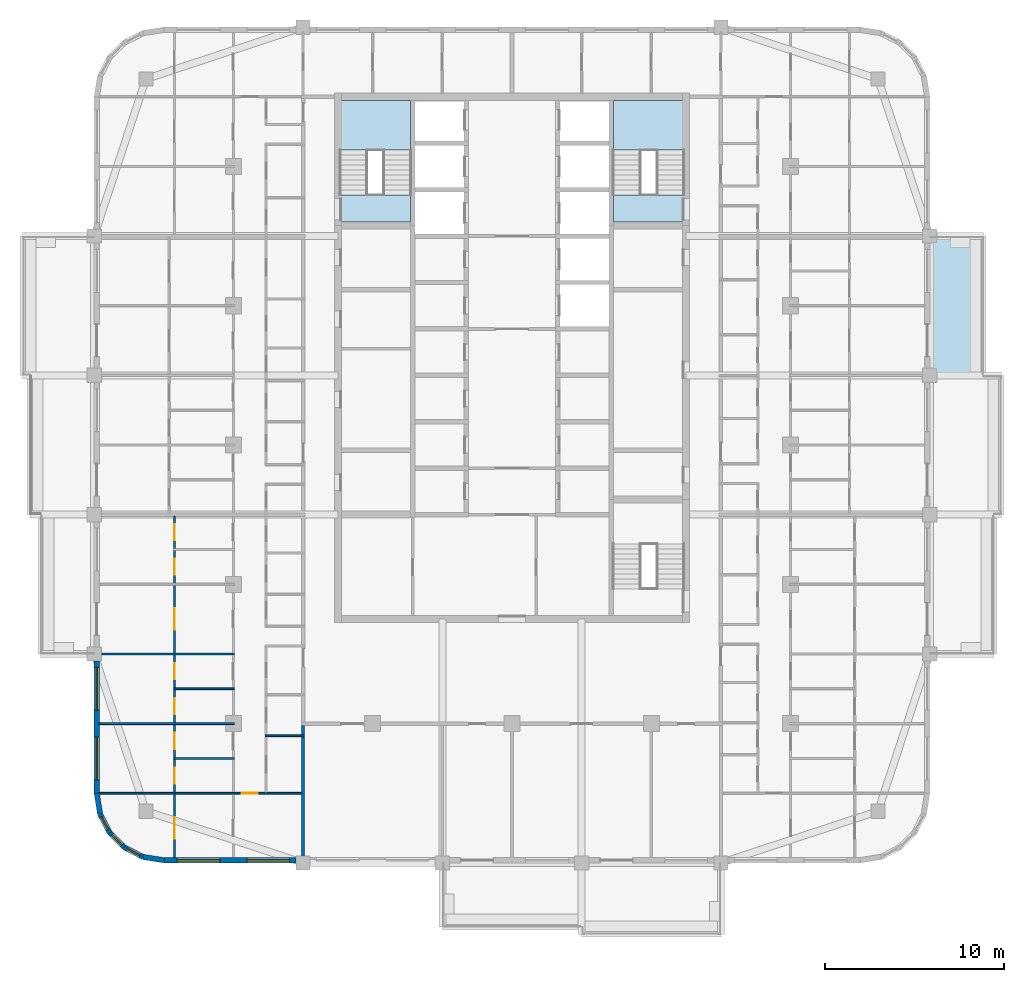
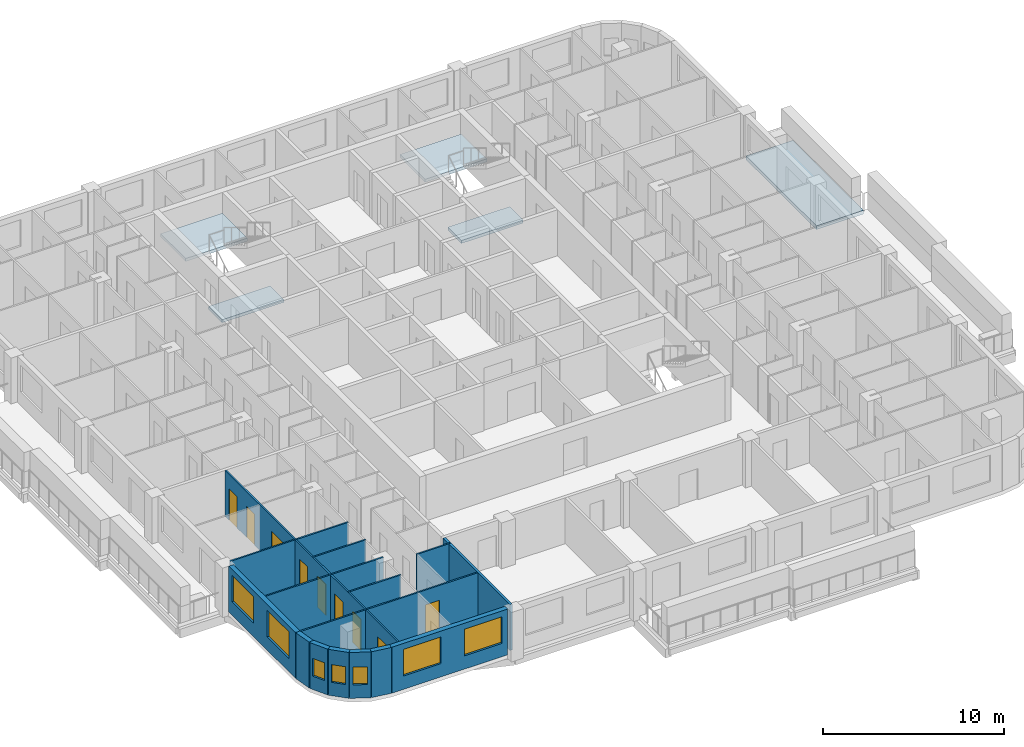
# One storey, part 2 of 16: 15 walls, 9 doors, 7 windows, 5 slabs, 16 openings, 2 elements without a shape of their own.
"""IFC4 building model written with IfcOpenShell, lengths in metres."""

from ifc_helpers import new_model, si_unit, direction, frame, frame_2d, origin, place, context, subcontext, project, spatial, polyline, rectangle, outline, extrude, material, layer, layer_set, type_object, element, fill, aggregate, save


model = new_model("IFC4")

# Units and contexts
model_context = context("Model", 3, precision=1e-05, world=origin(), true_north=direction((0.0, 1.0)))
body_context = subcontext(model_context, "Body", "Model", "MODEL_VIEW")
ifc_project = project(units=[si_unit("LENGTHUNIT", "METRE"), si_unit("AREAUNIT", "SQUARE_METRE"), si_unit("VOLUMEUNIT", "CUBIC_METRE"), si_unit("PLANEANGLEUNIT", "RADIAN"), si_unit("MASSUNIT", "GRAM", prefix="KILO")], contexts=[model_context])

# Site, building, storey
site_placement = place(None, origin())
site = spatial("IfcSite", under=ifc_project, at=site_placement, CompositionType="ELEMENT")
building_placement = place(site_placement, origin())
building = spatial("IfcBuilding", under=site, at=building_placement, Name="Ludao Terraces", CompositionType="ELEMENT")
storey_placement = place(building_placement, frame((0.0, 0.0, 238.10009765625)))
storey = spatial("IfcBuildingStorey", under=building, at=storey_placement, Name="L65", CompositionType="ELEMENT", Elevation=238.10009765625)

# Slab
ifc_material_1 = material(Name="Concrete C40", Category="concrete")
ifc_layer_1 = layer(ifc_material_1, 0.25)
ifc_layer_set_1 = layer_set([ifc_layer_1], Name="Balcony slab 250 C40")
slab_type_1 = type_object("IfcSlabType", Name="Balcony slab 250 C40", PredefinedType="USERDEFINED", material=ifc_layer_set_1)
slab_1_placement = place(storey_placement, frame((0.0, 0.0, -0.25)))
element("IfcSlab", 1, at=slab_1_placement, inside=storey, type_object=slab_type_1, Name="Balcony L65 E3", ObjectType="BALCONY", PredefinedType="USERDEFINED", context=body_context, shape_type="SweptSolid", body=[
    extrude(outline(polyline([(108.39990234375, 68.89990234375), (111.39990234375, 68.89990234375), (111.39990234375, 76.699951171875), (108.39990234375, 76.699951171875), (108.39990234375, 68.89990234375)])), origin(), (0.0, 0.0, 1.0), 0.25),
])

# Stair, slabs
stair_type = type_object("IfcStairType", Name="INT Stair", PredefinedType="HALF_TURN_STAIR", material=ifc_material_1)
stair_1_placement = place(storey_placement, origin())
stair_1 = element("IfcStair", 2, at=stair_1_placement, inside=storey, type_object=stair_type, Name="EXIT STAIR 1", PredefinedType="HALF_TURN_STAIR")
ifc_layer_2 = layer(ifc_material_1, 0.199951171875)
ifc_layer_set_2 = layer_set([ifc_layer_2], Name="INT Stair landing 200")
slab_type_2 = type_object("IfcSlabType", Name="INT Stair landing 200", PredefinedType="LANDING", material=ifc_layer_set_2)
slab_2_placement = place(storey_placement, frame((0.0, 0.0, 1.5)))
slab_2 = element("IfcSlab", 3, at=slab_2_placement, type_object=slab_type_2, Name="ST1 landing 1", PredefinedType="LANDING", context=body_context, shape_type="SweptSolid", body=[
    extrude(outline(polyline([(75.375, 81.52001953125), (79.324951171875, 81.52001953125), (79.324951171875, 84.300048828125), (75.375, 84.300048828125), (75.375, 81.52001953125)])), origin(), (0.0, 0.0, 1.0), 0.199951171875),
])
slab_3_placement = place(storey_placement, frame((0.0, 0.0, -0.2001953125)))
slab_3 = element("IfcSlab", 4, at=slab_3_placement, type_object=slab_type_2, Name="ST1 landing 2", PredefinedType="LANDING", context=body_context, shape_type="SweptSolid", body=[
    extrude(outline(polyline([(75.375, 77.5), (79.324951171875, 77.5), (79.324951171875, 79.0), (75.375, 79.0), (75.375, 77.5)])), origin(), (0.0, 0.0, 1.0), 0.2001953125),
])
aggregate(stair_1, [slab_2, slab_3])

stair_2_placement = place(storey_placement, origin())
stair_2 = element("IfcStair", 5, at=stair_2_placement, inside=storey, type_object=stair_type, Name="EXIT STAIR 2", PredefinedType="HALF_TURN_STAIR")
slab_4_placement = place(storey_placement, frame((0.0, 0.0, 1.5)))
slab_4 = element("IfcSlab", 6, at=slab_4_placement, type_object=slab_type_2, Name="ST2 landing 1", PredefinedType="LANDING", context=body_context, shape_type="SweptSolid", body=[
    extrude(outline(polyline([(90.675048828125, 81.52001953125), (94.625, 81.52001953125), (94.625, 84.300048828125), (90.675048828125, 84.300048828125), (90.675048828125, 81.52001953125)])), origin(), (0.0, 0.0, 1.0), 0.199951171875),
])
slab_5_placement = place(storey_placement, frame((0.0, 0.0, -0.2001953125)))
slab_5 = element("IfcSlab", 7, at=slab_5_placement, type_object=slab_type_2, Name="ST2 landing 2", PredefinedType="LANDING", context=body_context, shape_type="SweptSolid", body=[
    extrude(outline(polyline([(90.675048828125, 77.5), (94.625, 77.5), (94.625, 79.0), (90.675048828125, 79.0), (90.675048828125, 77.5)])), origin(), (0.0, 0.0, 1.0), 0.2001953125),
])
aggregate(stair_2, [slab_4, slab_5])

# Wall, openings, windows
ifc_material_2 = material(Name="Granite cladding", Category="masonry")
ifc_layer_3 = layer(ifc_material_2, 0.0400390625, Category="stone")
ifc_material_3 = material(Name="Mineral wool")
ifc_layer_4 = layer(ifc_material_3, 0.06005859375)
ifc_layer_5 = layer(ifc_material_1, 0.199951171875, Category="concrete")
ifc_layer_set_3 = layer_set([ifc_layer_3, ifc_layer_4, ifc_layer_5], Name="ENV Stone-clad wall 300")
wall_type_1 = type_object("IfcWallType", Name="ENV Stone-clad wall 300", PredefinedType="SOLIDWALL", material=ifc_layer_set_3)
wall_1_placement = place(storey_placement, frame((65.5, 41.75, 0.0), z_axis=(0.0, 0.0, 1.0), x_axis=(1.0, 0.0, 0.0)))
wall_1 = element("IfcWall", 8, at=wall_1_placement, inside=storey, type_object=wall_type_1, Name="EW-L65-S1", PredefinedType="SOLIDWALL", context=body_context, shape_type="SweptSolid", body=[
    extrude(rectangle(XDim=7.39990234375, YDim=0.300048828125, at=frame_2d((3.699951171875, 0.0))), origin(), (0.0, 0.0, 1.0), 3.099853515625),
])
opening_1_placement = place(wall_1_placement, frame((0.75, 0.0, 0.89990234375)))
opening_1 = element("IfcOpeningElement", 9, at=opening_1_placement, cuts=wall_1, Name="Opening W1", PredefinedType="OPENING", context=body_context, shape_type="SweptSolid", body=[
    extrude(rectangle(XDim=2.39990234375, YDim=1.800048828125, at=frame_2d((1.199951171875, 0.89990234375))), frame((0.0, 0.16015625, 0.0), z_axis=(0.0, -1.0, 0.0), x_axis=(1.0, 0.0, 0.0)), (0.0, 0.0, 1.0), 0.320068359375),
])
opening_2_placement = place(wall_1_placement, frame((4.64990234375, 0.0, 0.89990234375)))
opening_2 = element("IfcOpeningElement", 10, at=opening_2_placement, cuts=wall_1, Name="Opening W1", PredefinedType="OPENING", context=body_context, shape_type="SweptSolid", body=[
    extrude(rectangle(XDim=2.39990234375, YDim=1.800048828125, at=frame_2d((1.199951171875, 0.89990234375))), frame((0.0, 0.16015625, 0.0), z_axis=(0.0, -1.0, 0.0), x_axis=(1.0, 0.0, 0.0)), (0.0, 0.0, 1.0), 0.320068359375),
])
ifc_material_4 = material(Name="Clear glass in aluminium frame", Category="aluminium")
ifc_layer_6 = layer(ifc_material_4, 0.06005859375)
ifc_layer_set_4 = layer_set([ifc_layer_6], Name="ENV Window W1 2400x1800")
window_type_1 = type_object("IfcWindowType", Name="ENV Window W1 2400x1800", PartitioningType="DOUBLE_PANEL_VERTICAL", PredefinedType="WINDOW", material=ifc_layer_set_4)
window_1_placement = place(opening_1_placement, origin())
window_1 = element("IfcWindow", 11, at=window_1_placement, inside=storey, type_object=window_type_1, Name="W-L65-S1-1", OverallHeight=1.800048828125, OverallWidth=2.39990234375, PartitioningType="DOUBLE_PANEL_VERTICAL", PredefinedType="WINDOW", context=body_context, shape_type="SweptSolid", body=[
    extrude(rectangle(XDim=2.39990234375, YDim=1.800048828125, at=frame_2d((1.199951171875, 0.89990234375))), frame((0.0, 0.030029296875, 0.0), z_axis=(0.0, -1.0, 0.0), x_axis=(1.0, 0.0, 0.0)), (0.0, 0.0, 1.0), 0.06005859375),
])
fill(opening_1, window_1)
window_2_placement = place(opening_2_placement, origin())
window_2 = element("IfcWindow", 12, at=window_2_placement, inside=storey, type_object=window_type_1, Name="W-L65-S1-2", OverallHeight=1.800048828125, OverallWidth=2.39990234375, PartitioningType="DOUBLE_PANEL_VERTICAL", PredefinedType="WINDOW", context=body_context, shape_type="SweptSolid", body=[
    extrude(rectangle(XDim=2.39990234375, YDim=1.800048828125, at=frame_2d((1.199951171875, 0.89990234375))), frame((0.0, 0.030029296875, 0.0), z_axis=(0.0, -1.0, 0.0), x_axis=(1.0, 0.0, 0.0)), (0.0, 0.0, 1.0), 0.06005859375),
])
fill(opening_2, window_2)

wall_2_placement = place(storey_placement, frame((61.75, 45.5, 0.0), z_axis=(0.0, 0.0, 1.0), x_axis=(0.0, 1.0, 0.0)))
wall_2 = element("IfcWall", 13, at=wall_2_placement, inside=storey, type_object=wall_type_1, Name="EW-L65-W1", PredefinedType="SOLIDWALL", context=body_context, shape_type="SweptSolid", body=[
    extrude(rectangle(XDim=7.39990234375, YDim=0.300048828125, at=frame_2d((3.699951171875, 0.0))), origin(), (0.0, 0.0, 1.0), 3.099853515625),
])
opening_3_placement = place(wall_2_placement, frame((0.75, 0.0, 0.89990234375)))
opening_3 = element("IfcOpeningElement", 14, at=opening_3_placement, cuts=wall_2, Name="Opening W1", PredefinedType="OPENING", context=body_context, shape_type="SweptSolid", body=[
    extrude(rectangle(XDim=2.39990234375, YDim=1.800048828125, at=frame_2d((1.199951171875, 0.89990234375))), frame((0.0, 0.16015625, 0.0), z_axis=(0.0, -1.0, 0.0), x_axis=(1.0, 0.0, 0.0)), (0.0, 0.0, 1.0), 0.320068359375),
])
opening_4_placement = place(wall_2_placement, frame((4.64990234375, 0.0, 0.89990234375)))
opening_4 = element("IfcOpeningElement", 15, at=opening_4_placement, cuts=wall_2, Name="Opening W1", PredefinedType="OPENING", context=body_context, shape_type="SweptSolid", body=[
    extrude(rectangle(XDim=2.39990234375, YDim=1.800048828125, at=frame_2d((1.199951171875, 0.89990234375))), frame((0.0, 0.16015625, 0.0), z_axis=(0.0, -1.0, 0.0), x_axis=(1.0, 0.0, 0.0)), (0.0, 0.0, 1.0), 0.320068359375),
])
window_3_placement = place(opening_3_placement, origin())
window_3 = element("IfcWindow", 16, at=window_3_placement, inside=storey, type_object=window_type_1, Name="W-L65-W1-1", OverallHeight=1.800048828125, OverallWidth=2.39990234375, PartitioningType="DOUBLE_PANEL_VERTICAL", PredefinedType="WINDOW", context=body_context, shape_type="SweptSolid", body=[
    extrude(rectangle(XDim=2.39990234375, YDim=1.800048828125, at=frame_2d((1.199951171875, 0.89990234375))), frame((0.0, 0.030029296875, 0.0), z_axis=(0.0, -1.0, 0.0), x_axis=(1.0, 0.0, 0.0)), (0.0, 0.0, 1.0), 0.06005859375),
])
fill(opening_3, window_3)
window_4_placement = place(opening_4_placement, origin())
window_4 = element("IfcWindow", 17, at=window_4_placement, inside=storey, type_object=window_type_1, Name="W-L65-W1-2", OverallHeight=1.800048828125, OverallWidth=2.39990234375, PartitioningType="DOUBLE_PANEL_VERTICAL", PredefinedType="WINDOW", context=body_context, shape_type="SweptSolid", body=[
    extrude(rectangle(XDim=2.39990234375, YDim=1.800048828125, at=frame_2d((1.199951171875, 0.89990234375))), frame((0.0, 0.030029296875, 0.0), z_axis=(0.0, -1.0, 0.0), x_axis=(1.0, 0.0, 0.0)), (0.0, 0.0, 1.0), 0.06005859375),
])
fill(opening_4, window_4)

# Wall
wall_3_placement = place(storey_placement, frame((61.75, 45.5, 0.0), z_axis=(0.0, 0.0, 1.0), x_axis=(0.156496880861, -0.987678452879, 0.0)))
element("IfcWall", 18, at=wall_3_placement, inside=storey, type_object=wall_type_1, Name="EW-L65-SW1", PredefinedType="SOLIDWALL", context=body_context, shape_type="SweptSolid", body=[
    extrude(rectangle(XDim=1.173095703125, YDim=0.300048828125, at=frame_2d((0.58642578125, 0.0))), origin(), (0.0, 0.0, 1.0), 3.099853515625),
])

# Wall, opening, window
wall_4_placement = place(storey_placement, frame((61.93359375, 44.34130859375, 0.0), z_axis=(0.0, 0.0, 1.0), x_axis=(0.454025524128, -0.890988677504, 0.0)))
wall_4 = element("IfcWall", 19, at=wall_4_placement, inside=storey, type_object=wall_type_1, Name="EW-L65-SW2", PredefinedType="SOLIDWALL", context=body_context, shape_type="SweptSolid", body=[
    extrude(rectangle(XDim=1.17333984375, YDim=0.300048828125, at=frame_2d((0.586669921875, 0.0))), origin(), (0.0, 0.0, 1.0), 3.099853515625),
])
opening_5_placement = place(wall_4_placement, frame((0.1865234375, 0.0, 0.89990234375)))
opening_5 = element("IfcOpeningElement", 20, at=opening_5_placement, cuts=wall_4, Name="Opening W3", PredefinedType="OPENING", context=body_context, shape_type="SweptSolid", body=[
    extrude(rectangle(XDim=0.800048828125, YDim=1.199951171875, at=frame_2d((0.39990234375, 0.60009765625))), frame((0.0, 0.16015625, 0.0), z_axis=(0.0, -1.0, 0.0), x_axis=(1.0, 0.0, 0.0)), (0.0, 0.0, 1.0), 0.320068359375),
])
ifc_layer_7 = layer(ifc_material_4, 0.06005859375)
ifc_layer_set_5 = layer_set([ifc_layer_7], Name="ENV Window W3 800x1200")
window_type_2 = type_object("IfcWindowType", Name="ENV Window W3 800x1200", PartitioningType="SINGLE_PANEL", PredefinedType="WINDOW", material=ifc_layer_set_5)
window_5_placement = place(opening_5_placement, origin())
window_5 = element("IfcWindow", 21, at=window_5_placement, inside=storey, type_object=window_type_2, Name="W-L65-SW2", OverallHeight=1.199951171875, OverallWidth=0.800048828125, PartitioningType="SINGLE_PANEL", PredefinedType="WINDOW", context=body_context, shape_type="SweptSolid", body=[
    extrude(rectangle(XDim=0.800048828125, YDim=1.199951171875, at=frame_2d((0.39990234375, 0.60009765625))), frame((0.0, 0.030029296875, 0.0), z_axis=(0.0, -1.0, 0.0), x_axis=(1.0, 0.0, 0.0)), (0.0, 0.0, 1.0), 0.06005859375),
])
fill(opening_5, window_5)

wall_5_placement = place(storey_placement, frame((62.46630859375, 43.2958984375, 0.0), z_axis=(0.0, 0.0, 1.0), x_axis=(0.707106781187, -0.707106781187, 0.0)))
wall_5 = element("IfcWall", 22, at=wall_5_placement, inside=storey, type_object=wall_type_1, Name="EW-L65-SW3", PredefinedType="SOLIDWALL", context=body_context, shape_type="SweptSolid", body=[
    extrude(rectangle(XDim=1.173095703125, YDim=0.300048828125, at=frame_2d((0.58642578125, 0.0))), origin(), (0.0, 0.0, 1.0), 3.099853515625),
])
opening_6_placement = place(wall_5_placement, frame((0.1865234375, 0.0, 0.89990234375)))
opening_6 = element("IfcOpeningElement", 23, at=opening_6_placement, cuts=wall_5, Name="Opening W3", PredefinedType="OPENING", context=body_context, shape_type="SweptSolid", body=[
    extrude(rectangle(XDim=0.800048828125, YDim=1.199951171875, at=frame_2d((0.39990234375, 0.60009765625))), frame((0.0, 0.16015625, 0.0), z_axis=(0.0, -1.0, 0.0), x_axis=(1.0, 0.0, 0.0)), (0.0, 0.0, 1.0), 0.320068359375),
])
window_6_placement = place(opening_6_placement, origin())
window_6 = element("IfcWindow", 24, at=window_6_placement, inside=storey, type_object=window_type_2, Name="W-L65-SW3", OverallHeight=1.199951171875, OverallWidth=0.800048828125, PartitioningType="SINGLE_PANEL", PredefinedType="WINDOW", context=body_context, shape_type="SweptSolid", body=[
    extrude(rectangle(XDim=0.800048828125, YDim=1.199951171875, at=frame_2d((0.39990234375, 0.60009765625))), frame((0.0, 0.030029296875, 0.0), z_axis=(0.0, -1.0, 0.0), x_axis=(1.0, 0.0, 0.0)), (0.0, 0.0, 1.0), 0.06005859375),
])
fill(opening_6, window_6)

wall_6_placement = place(storey_placement, frame((63.2958984375, 42.46630859375, 0.0), z_axis=(0.0, 0.0, 1.0), x_axis=(0.890988677504, -0.454025524128, 0.0)))
wall_6 = element("IfcWall", 25, at=wall_6_placement, inside=storey, type_object=wall_type_1, Name="EW-L65-SW4", PredefinedType="SOLIDWALL", context=body_context, shape_type="SweptSolid", body=[
    extrude(rectangle(XDim=1.17333984375, YDim=0.300048828125, at=frame_2d((0.586669921875, 0.0))), origin(), (0.0, 0.0, 1.0), 3.099853515625),
])
opening_7_placement = place(wall_6_placement, frame((0.1865234375, 0.0, 0.89990234375)))
opening_7 = element("IfcOpeningElement", 26, at=opening_7_placement, cuts=wall_6, Name="Opening W3", PredefinedType="OPENING", context=body_context, shape_type="SweptSolid", body=[
    extrude(rectangle(XDim=0.800048828125, YDim=1.199951171875, at=frame_2d((0.39990234375, 0.60009765625))), frame((0.0, 0.16015625, 0.0), z_axis=(0.0, -1.0, 0.0), x_axis=(1.0, 0.0, 0.0)), (0.0, 0.0, 1.0), 0.320068359375),
])
window_7_placement = place(opening_7_placement, origin())
window_7 = element("IfcWindow", 27, at=window_7_placement, inside=storey, type_object=window_type_2, Name="W-L65-SW4", OverallHeight=1.199951171875, OverallWidth=0.800048828125, PartitioningType="SINGLE_PANEL", PredefinedType="WINDOW", context=body_context, shape_type="SweptSolid", body=[
    extrude(rectangle(XDim=0.800048828125, YDim=1.199951171875, at=frame_2d((0.39990234375, 0.60009765625))), frame((0.0, 0.030029296875, 0.0), z_axis=(0.0, -1.0, 0.0), x_axis=(1.0, 0.0, 0.0)), (0.0, 0.0, 1.0), 0.06005859375),
])
fill(opening_7, window_7)

# Wall
wall_7_placement = place(storey_placement, frame((64.34130859375, 41.93359375, 0.0), z_axis=(0.0, 0.0, 1.0), x_axis=(0.987678452879, -0.156496880861, 0.0)))
element("IfcWall", 28, at=wall_7_placement, inside=storey, type_object=wall_type_1, Name="EW-L65-SW5", PredefinedType="SOLIDWALL", context=body_context, shape_type="SweptSolid", body=[
    extrude(rectangle(XDim=1.173095703125, YDim=0.300048828125, at=frame_2d((0.58642578125, 0.0))), origin(), (0.0, 0.0, 1.0), 3.099853515625),
])

# Wall, opening, door
ifc_material_5 = material(Name="Gypsum plasterboard", Category="gypsum")
ifc_layer_8 = layer(ifc_material_5, 0.012451171875, Category="gypsum")
ifc_layer_9 = layer(ifc_material_3, 0.06005859375, Name="insulation")
ifc_material_6 = material(Name="Steel Q235", Category="steel")
ifc_layer_10 = layer(ifc_material_6, 0.014892578125, Name="stud")
ifc_layer_11 = layer(ifc_material_5, 0.012451171875, Category="gypsum")
ifc_layer_set_6 = layer_set([ifc_layer_8, ifc_layer_9, ifc_layer_10, ifc_layer_11], Name="INT Partition 100")
wall_type_2 = type_object("IfcWallType", Name="INT Partition 100", PredefinedType="PARTITIONING", material=ifc_layer_set_6)
wall_8_placement = place(storey_placement, frame((61.900146484375, 45.5, 0.0), z_axis=(0.0, 0.0, 1.0), x_axis=(1.0, 0.0, 0.0)))
wall_8 = element("IfcWall", 29, at=wall_8_placement, inside=storey, type_object=wall_type_2, Name="PW-L65-PW000", PredefinedType="PARTITIONING", context=body_context, shape_type="SweptSolid", body=[
    extrude(rectangle(XDim=11.474853515625, YDim=0.10009765625, at=frame_2d((5.7373046875, 0.0))), origin(), (0.0, 0.0, 1.0), 3.099853515625),
])
opening_8_placement = place(wall_8_placement, frame((7.965087890625, 0.0, 0.0)))
opening_8 = element("IfcOpeningElement", 30, at=opening_8_placement, cuts=wall_8, Name="Opening R23-005", PredefinedType="OPENING", context=body_context, shape_type="SweptSolid", body=[
    extrude(rectangle(XDim=0.89990234375, YDim=2.10009765625, at=frame_2d((0.449951171875, 1.050048828125))), frame((0.0, 0.06005859375, 0.0), z_axis=(0.0, -1.0, 0.0), x_axis=(1.0, 0.0, 0.0)), (0.0, 0.0, 1.0), 0.1201171875),
])
ifc_material_7 = material(Name="Timber door leaf", Category="wood")
door_type_1 = type_object("IfcDoorType", Name="INT Room door 900", OperationType="SINGLE_SWING_LEFT", PredefinedType="DOOR", material=ifc_material_7)
door_1_placement = place(opening_8_placement, origin())
door_1 = element("IfcDoor", 31, at=door_1_placement, inside=storey, type_object=door_type_1, Name="DOOR 005", OperationType="SINGLE_SWING_LEFT", OverallHeight=2.10009765625, OverallWidth=0.89990234375, PredefinedType="DOOR", context=body_context, shape_type="SweptSolid", body=[
    extrude(rectangle(XDim=0.89990234375, YDim=2.10009765625, at=frame_2d((0.449951171875, 1.050048828125))), frame((0.0, 0.02490234375, 0.0), z_axis=(0.0, -1.0, 0.0), x_axis=(1.0, 0.0, 0.0)), (0.0, 0.0, 1.0), 0.050048828125),
])
fill(opening_8, door_1)

# Walls
wall_9_placement = place(storey_placement, frame((66.050048828125, 47.449951171875, 0.0), z_axis=(0.0, 0.0, 1.0), x_axis=(1.0, 0.0, 0.0)))
element("IfcWall", 32, at=wall_9_placement, inside=storey, type_object=wall_type_2, Name="PW-L65-PW002", PredefinedType="PARTITIONING", context=body_context, shape_type="SweptSolid", body=[
    extrude(rectangle(XDim=3.400146484375, YDim=0.10009765625, at=frame_2d((1.7001953125, 0.0))), origin(), (0.0, 0.0, 1.0), 3.099853515625),
])
wall_10_placement = place(storey_placement, frame((71.18017578125, 48.719970703125, 0.0), z_axis=(0.0, 0.0, 1.0), x_axis=(1.0, 0.0, 0.0)))
element("IfcWall", 33, at=wall_10_placement, inside=storey, type_object=wall_type_2, Name="PW-L65-PW005", PredefinedType="PARTITIONING", context=body_context, shape_type="SweptSolid", body=[
    extrude(rectangle(XDim=2.19482421875, YDim=0.10009765625, at=frame_2d((1.097412109375, 0.0))), origin(), (0.0, 0.0, 1.0), 3.099853515625),
])
wall_11_placement = place(storey_placement, frame((61.900146484375, 49.39990234375, 0.0), z_axis=(0.0, 0.0, 1.0), x_axis=(1.0, 0.0, 0.0)))
element("IfcWall", 34, at=wall_11_placement, inside=storey, type_object=wall_type_2, Name="PW-L65-PW006", PredefinedType="PARTITIONING", context=body_context, shape_type="SweptSolid", body=[
    extrude(rectangle(XDim=7.550048828125, YDim=0.10009765625, at=frame_2d((3.77490234375, 0.0))), origin(), (0.0, 0.0, 1.0), 3.099853515625),
])
wall_12_placement = place(storey_placement, frame((66.050048828125, 51.35009765625, 0.0), z_axis=(0.0, 0.0, 1.0), x_axis=(1.0, 0.0, 0.0)))
element("IfcWall", 35, at=wall_12_placement, inside=storey, type_object=wall_type_2, Name="PW-L65-PW011", PredefinedType="PARTITIONING", context=body_context, shape_type="SweptSolid", body=[
    extrude(rectangle(XDim=3.400146484375, YDim=0.10009765625, at=frame_2d((1.7001953125, 0.0))), origin(), (0.0, 0.0, 1.0), 3.099853515625),
])
wall_13_placement = place(storey_placement, frame((61.900146484375, 53.300048828125, 0.0), z_axis=(0.0, 0.0, 1.0), x_axis=(1.0, 0.0, 0.0)))
element("IfcWall", 36, at=wall_13_placement, inside=storey, type_object=wall_type_2, Name="PW-L65-PW014", PredefinedType="PARTITIONING", context=body_context, shape_type="SweptSolid", body=[
    extrude(rectangle(XDim=7.550048828125, YDim=0.10009765625, at=frame_2d((3.77490234375, 0.0))), origin(), (0.0, 0.0, 1.0), 3.099853515625),
])

# Wall, openings, doors
wall_14_placement = place(storey_placement, frame((66.10009765625, 41.900146484375, 0.0), z_axis=(0.0, 0.0, 1.0), x_axis=(0.0, 1.0, 0.0)))
wall_14 = element("IfcWall", 37, at=wall_14_placement, inside=storey, type_object=wall_type_2, Name="PW-L65-PW072", PredefinedType="PARTITIONING", context=body_context, shape_type="SweptSolid", body=[
    extrude(rectangle(XDim=19.099853515625, YDim=0.10009765625, at=frame_2d((9.5498046875, 0.0))), origin(), (0.0, 0.0, 1.0), 3.099853515625),
])
opening_9_placement = place(wall_14_placement, frame((1.050048828125, 0.0, 0.0)))
opening_9 = element("IfcOpeningElement", 38, at=opening_9_placement, cuts=wall_14, Name="Opening R23-001", PredefinedType="OPENING", context=body_context, shape_type="SweptSolid", body=[
    extrude(rectangle(XDim=1.199951171875, YDim=2.10009765625, at=frame_2d((0.60009765625, 1.050048828125))), frame((0.0, 0.06005859375, 0.0), z_axis=(0.0, -1.0, 0.0), x_axis=(1.0, 0.0, 0.0)), (0.0, 0.0, 1.0), 0.1201171875),
])
opening_10_placement = place(wall_14_placement, frame((4.125, 0.0, 0.0)))
opening_10 = element("IfcOpeningElement", 39, at=opening_10_placement, cuts=wall_14, Name="Opening R23-007", PredefinedType="OPENING", context=body_context, shape_type="SweptSolid", body=[
    extrude(rectangle(XDim=0.89990234375, YDim=2.10009765625, at=frame_2d((0.449951171875, 1.050048828125))), frame((0.0, 0.06005859375, 0.0), z_axis=(0.0, -1.0, 0.0), x_axis=(1.0, 0.0, 0.0)), (0.0, 0.0, 1.0), 0.1201171875),
])
opening_11_placement = place(wall_14_placement, frame((6.074951171875, 0.0, 0.0)))
opening_11 = element("IfcOpeningElement", 40, at=opening_11_placement, cuts=wall_14, Name="Opening R23-013", PredefinedType="OPENING", context=body_context, shape_type="SweptSolid", body=[
    extrude(rectangle(XDim=0.89990234375, YDim=2.10009765625, at=frame_2d((0.449951171875, 1.050048828125))), frame((0.0, 0.06005859375, 0.0), z_axis=(0.0, -1.0, 0.0), x_axis=(1.0, 0.0, 0.0)), (0.0, 0.0, 1.0), 0.1201171875),
])
opening_12_placement = place(wall_14_placement, frame((8.02490234375, 0.0, 0.0)))
opening_12 = element("IfcOpeningElement", 41, at=opening_12_placement, cuts=wall_14, Name="Opening R23-021", PredefinedType="OPENING", context=body_context, shape_type="SweptSolid", body=[
    extrude(rectangle(XDim=0.89990234375, YDim=2.10009765625, at=frame_2d((0.449951171875, 1.050048828125))), frame((0.0, 0.06005859375, 0.0), z_axis=(0.0, -1.0, 0.0), x_axis=(1.0, 0.0, 0.0)), (0.0, 0.0, 1.0), 0.1201171875),
])
opening_13_placement = place(wall_14_placement, frame((9.97509765625, 0.0, 0.0)))
opening_13 = element("IfcOpeningElement", 42, at=opening_13_placement, cuts=wall_14, Name="Opening R23-024", PredefinedType="OPENING", context=body_context, shape_type="SweptSolid", body=[
    extrude(rectangle(XDim=0.89990234375, YDim=2.10009765625, at=frame_2d((0.449951171875, 1.050048828125))), frame((0.0, 0.06005859375, 0.0), z_axis=(0.0, -1.0, 0.0), x_axis=(1.0, 0.0, 0.0)), (0.0, 0.0, 1.0), 0.1201171875),
])
opening_14_placement = place(wall_14_placement, frame((12.75, 0.0, 0.0)))
opening_14 = element("IfcOpeningElement", 43, at=opening_14_placement, cuts=wall_14, Name="Opening R23-032", PredefinedType="OPENING", context=body_context, shape_type="SweptSolid", body=[
    extrude(rectangle(XDim=1.199951171875, YDim=2.10009765625, at=frame_2d((0.60009765625, 1.050048828125))), frame((0.0, 0.06005859375, 0.0), z_axis=(0.0, -1.0, 0.0), x_axis=(1.0, 0.0, 0.0)), (0.0, 0.0, 1.0), 0.1201171875),
])
opening_15_placement = place(wall_14_placement, frame((15.824951171875, 0.0, 0.0)))
opening_15 = element("IfcOpeningElement", 44, at=opening_15_placement, cuts=wall_14, Name="Opening R23-043", PredefinedType="OPENING", context=body_context, shape_type="SweptSolid", body=[
    extrude(rectangle(XDim=0.89990234375, YDim=2.10009765625, at=frame_2d((0.449951171875, 1.050048828125))), frame((0.0, 0.06005859375, 0.0), z_axis=(0.0, -1.0, 0.0), x_axis=(1.0, 0.0, 0.0)), (0.0, 0.0, 1.0), 0.1201171875),
])
opening_16_placement = place(wall_14_placement, frame((17.77490234375, 0.0, 0.0)))
opening_16 = element("IfcOpeningElement", 45, at=opening_16_placement, cuts=wall_14, Name="Opening R23-047", PredefinedType="OPENING", context=body_context, shape_type="SweptSolid", body=[
    extrude(rectangle(XDim=0.89990234375, YDim=2.10009765625, at=frame_2d((0.449951171875, 1.050048828125))), frame((0.0, 0.06005859375, 0.0), z_axis=(0.0, -1.0, 0.0), x_axis=(1.0, 0.0, 0.0)), (0.0, 0.0, 1.0), 0.1201171875),
])
door_type_2 = type_object("IfcDoorType", Name="INT Bathroom door 900", OperationType="SINGLE_SWING_LEFT", PredefinedType="DOOR", material=ifc_material_7)
door_2_placement = place(opening_10_placement, origin())
door_2 = element("IfcDoor", 46, at=door_2_placement, inside=storey, type_object=door_type_2, Name="DOOR 007", OperationType="SINGLE_SWING_LEFT", OverallHeight=2.10009765625, OverallWidth=0.89990234375, PredefinedType="DOOR", context=body_context, shape_type="SweptSolid", body=[
    extrude(rectangle(XDim=0.89990234375, YDim=2.10009765625, at=frame_2d((0.449951171875, 1.050048828125))), frame((0.0, 0.02490234375, 0.0), z_axis=(0.0, -1.0, 0.0), x_axis=(1.0, 0.0, 0.0)), (0.0, 0.0, 1.0), 0.050048828125),
])
fill(opening_10, door_2)
door_3_placement = place(opening_12_placement, origin())
door_3 = element("IfcDoor", 47, at=door_3_placement, inside=storey, type_object=door_type_2, Name="DOOR 021", OperationType="SINGLE_SWING_RIGHT", OverallHeight=2.10009765625, OverallWidth=0.89990234375, PredefinedType="DOOR", context=body_context, shape_type="SweptSolid", body=[
    extrude(rectangle(XDim=0.89990234375, YDim=2.10009765625, at=frame_2d((0.449951171875, 1.050048828125))), frame((0.0, 0.02490234375, 0.0), z_axis=(0.0, -1.0, 0.0), x_axis=(1.0, 0.0, 0.0)), (0.0, 0.0, 1.0), 0.050048828125),
])
fill(opening_12, door_3)
door_4_placement = place(opening_15_placement, origin())
door_4 = element("IfcDoor", 48, at=door_4_placement, inside=storey, type_object=door_type_2, Name="DOOR 043", OperationType="SINGLE_SWING_RIGHT", OverallHeight=2.10009765625, OverallWidth=0.89990234375, PredefinedType="DOOR", context=body_context, shape_type="SweptSolid", body=[
    extrude(rectangle(XDim=0.89990234375, YDim=2.10009765625, at=frame_2d((0.449951171875, 1.050048828125))), frame((0.0, 0.02490234375, 0.0), z_axis=(0.0, -1.0, 0.0), x_axis=(1.0, 0.0, 0.0)), (0.0, 0.0, 1.0), 0.050048828125),
])
fill(opening_15, door_4)
door_type_3 = type_object("IfcDoorType", Name="INT Double door 1200", OperationType="DOUBLE_DOOR_SINGLE_SWING", PredefinedType="DOOR", material=ifc_material_7)
door_5_placement = place(opening_9_placement, origin())
door_5 = element("IfcDoor", 49, at=door_5_placement, inside=storey, type_object=door_type_3, Name="DOOR 001", OperationType="DOUBLE_DOOR_SINGLE_SWING", OverallHeight=2.10009765625, OverallWidth=1.199951171875, PredefinedType="DOOR", context=body_context, shape_type="SweptSolid", body=[
    extrude(rectangle(XDim=1.199951171875, YDim=2.10009765625, at=frame_2d((0.60009765625, 1.050048828125))), frame((0.0, 0.02490234375, 0.0), z_axis=(0.0, -1.0, 0.0), x_axis=(1.0, 0.0, 0.0)), (0.0, 0.0, 1.0), 0.050048828125),
])
fill(opening_9, door_5)
door_6_placement = place(opening_14_placement, origin())
door_6 = element("IfcDoor", 50, at=door_6_placement, inside=storey, type_object=door_type_3, Name="DOOR 032", OperationType="DOUBLE_DOOR_SINGLE_SWING", OverallHeight=2.10009765625, OverallWidth=1.199951171875, PredefinedType="DOOR", context=body_context, shape_type="SweptSolid", body=[
    extrude(rectangle(XDim=1.199951171875, YDim=2.10009765625, at=frame_2d((0.60009765625, 1.050048828125))), frame((0.0, 0.02490234375, 0.0), z_axis=(0.0, -1.0, 0.0), x_axis=(1.0, 0.0, 0.0)), (0.0, 0.0, 1.0), 0.050048828125),
])
fill(opening_14, door_6)
door_7_placement = place(opening_11_placement, origin())
door_7 = element("IfcDoor", 51, at=door_7_placement, inside=storey, type_object=door_type_1, Name="DOOR 013", OperationType="SINGLE_SWING_RIGHT", OverallHeight=2.10009765625, OverallWidth=0.89990234375, PredefinedType="DOOR", context=body_context, shape_type="SweptSolid", body=[
    extrude(rectangle(XDim=0.89990234375, YDim=2.10009765625, at=frame_2d((0.449951171875, 1.050048828125))), frame((0.0, 0.02490234375, 0.0), z_axis=(0.0, -1.0, 0.0), x_axis=(1.0, 0.0, 0.0)), (0.0, 0.0, 1.0), 0.050048828125),
])
fill(opening_11, door_7)
door_8_placement = place(opening_13_placement, origin())
door_8 = element("IfcDoor", 52, at=door_8_placement, inside=storey, type_object=door_type_1, Name="DOOR 024", OperationType="SINGLE_SWING_LEFT", OverallHeight=2.10009765625, OverallWidth=0.89990234375, PredefinedType="DOOR", context=body_context, shape_type="SweptSolid", body=[
    extrude(rectangle(XDim=0.89990234375, YDim=2.10009765625, at=frame_2d((0.449951171875, 1.050048828125))), frame((0.0, 0.02490234375, 0.0), z_axis=(0.0, -1.0, 0.0), x_axis=(1.0, 0.0, 0.0)), (0.0, 0.0, 1.0), 0.050048828125),
])
fill(opening_13, door_8)
door_9_placement = place(opening_16_placement, origin())
door_9 = element("IfcDoor", 53, at=door_9_placement, inside=storey, type_object=door_type_1, Name="DOOR 047", OperationType="SINGLE_SWING_RIGHT", OverallHeight=2.10009765625, OverallWidth=0.89990234375, PredefinedType="DOOR", context=body_context, shape_type="SweptSolid", body=[
    extrude(rectangle(XDim=0.89990234375, YDim=2.10009765625, at=frame_2d((0.449951171875, 1.050048828125))), frame((0.0, 0.02490234375, 0.0), z_axis=(0.0, -1.0, 0.0), x_axis=(1.0, 0.0, 0.0)), (0.0, 0.0, 1.0), 0.050048828125),
])
fill(opening_16, door_9)

# Wall
ifc_material_8 = material(Name="Autoclaved aerated concrete block B06 A3.5", Category="concrete")
ifc_layer_12 = layer(ifc_material_8, 0.14990234375)
ifc_layer_set_7 = layer_set([ifc_layer_12], Name="INT Party wall 150")
wall_type_3 = type_object("IfcWallType", Name="INT Party wall 150", PredefinedType="PARTITIONING", material=ifc_layer_set_7)
wall_15_placement = place(storey_placement, frame((73.300048828125, 41.900146484375, 0.0), z_axis=(0.0, 0.0, 1.0), x_axis=(0.0, 1.0, 0.0)))
element("IfcWall", 54, at=wall_15_placement, inside=storey, type_object=wall_type_3, Name="PW-L65-PW079", PredefinedType="PARTITIONING", context=body_context, shape_type="SweptSolid", body=[
    extrude(rectangle(XDim=7.39990234375, YDim=0.14990234375, at=frame_2d((3.699951171875, 0.0))), origin(), (0.0, 0.0, 1.0), 3.099853515625),
])

save(model, "model.ifc")
